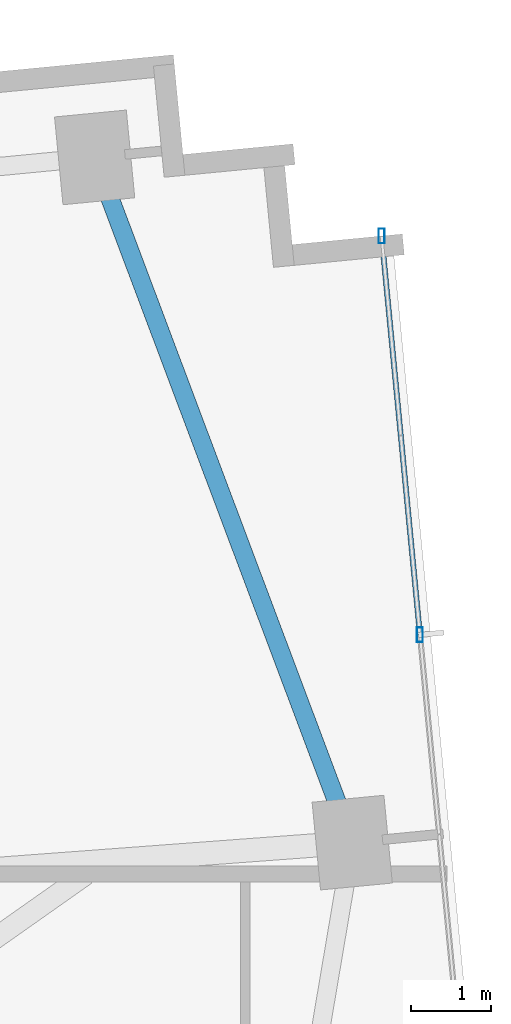
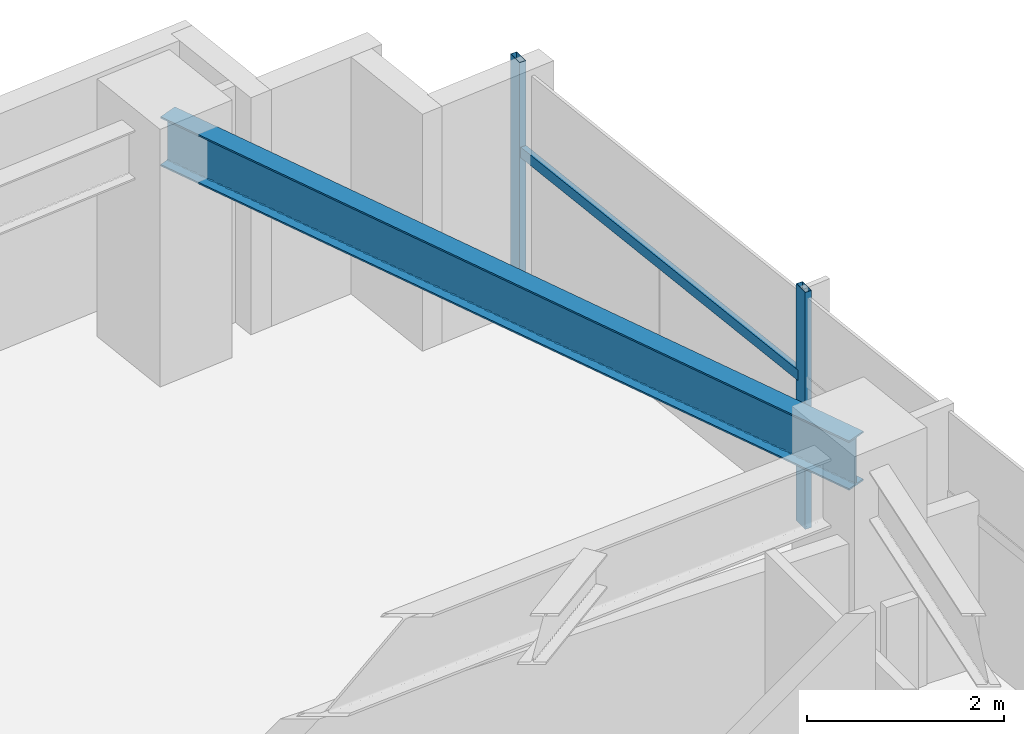
# One storey, part 19 of 27: 3 members, 1 beam, 1 element without a shape of its own.
"""IFC4 building model written with IfcOpenShell, lengths in metres."""

from ifc_helpers import new_model, si_unit, direction, frame, origin, origin_2d, place, context, subcontext, project, spatial, hollow_rectangle, i_section, extrude, source, transform, mapped, material, material_profile, profile_set, type_object, type_shapes, element, aggregate, save


model = new_model("IFC4")

# Units and contexts
model_context = context("Model", 3, precision=1e-05, world=origin(), true_north=direction((0.0, 1.0)))
body_context = subcontext(model_context, "Body", "Model", "MODEL_VIEW")
ifc_project = project(units=[si_unit("LENGTHUNIT", "METRE"), si_unit("AREAUNIT", "SQUARE_METRE"), si_unit("VOLUMEUNIT", "CUBIC_METRE"), si_unit("PLANEANGLEUNIT", "RADIAN"), si_unit("MASSUNIT", "GRAM", prefix="KILO")], contexts=[model_context])

# Site, building, storey
site_placement = place(None, origin())
site = spatial("IfcSite", under=ifc_project, at=site_placement, CompositionType="ELEMENT")
building_placement = place(site_placement, origin())
building = spatial("IfcBuilding", under=site, at=building_placement, Name="Astriad Promenade Condominiums", CompositionType="ELEMENT")
storey_placement = place(building_placement, frame((0.0, 0.0, 113.0)))
storey = spatial("IfcBuildingStorey", under=building, at=storey_placement, Name="L32", CompositionType="ELEMENT", Elevation=113.0)

# Beam
ifc_material_1 = material(Name="Steel ASTM A992 Grade 50", Category="steel")
ifc_material_profile_1 = material_profile(ifc_material_1, i_section(OverallWidth=0.22900390625, OverallDepth=0.612060546875, WebThickness=0.011962890625, FlangeThickness=0.01953125, FilletRadius=0.017822265625, at=origin_2d()), Name="W24X84")
ifc_profile_set_1 = profile_set([ifc_material_profile_1], Name="Steel ASTM A992 Grade 50")
beam_type = type_object("IfcBeamType", Name="STEEL SPANDREL BEAM W24X84", PredefinedType="SPANDREL", material=ifc_profile_set_1)
shared_shape_1 = source(origin(), body_context, "Body", "SweptSolid", [
    extrude(i_section(OverallWidth=0.22900390625, OverallDepth=0.612060546875, WebThickness=0.011962890625, FlangeThickness=0.01953125, FilletRadius=0.017822265625, at=origin_2d()), origin(), (0.0, 0.0, 1.0), 9.0556640625),
])
type_shapes(beam_type, [shared_shape_1])
beam_placement = place(storey_placement, frame((67.63427734375, 19.07666015625, 2.6337890625), z_axis=(-0.351856057459, 0.936054119605, 0.0), x_axis=(-0.936054119605, -0.351856057459, 0.0)))
element("IfcBeam", 1, at=beam_placement, inside=storey, type_object=beam_type, Name="Perimeter Spandrel Beam SP-E2-L32", PredefinedType="SPANDREL", context=body_context, shape_type="MappedRepresentation", body=[
    mapped(shared_shape_1, transform((0.0, 0.0, 0.0), scale=1.0)),
])

# Curtain wall, members
ifc_material_2 = material(Name="Anodised aluminium Black Dark Glass Unitised", Category="aluminium")
curtain_wall_type = type_object("IfcCurtainWallType", Name="CW-B2-DARK", PredefinedType="USERDEFINED", material=ifc_material_2)
curtain_wall_placement = place(storey_placement, origin())
curtain_wall = element("IfcCurtainWall", 2, at=curtain_wall_placement, inside=storey, type_object=curtain_wall_type, Name="CW-L32-E", ObjectType="UNITISED_CURTAIN_WALL", PredefinedType="USERDEFINED")
ifc_material_3 = material(Name="Anodised aluminium 6063-T6 Black", Category="aluminium")
ifc_material_profile_2 = material_profile(ifc_material_3, hollow_rectangle(XDim=0.074951171875, YDim=0.18505859375, WallThickness=0.00439453125, at=origin_2d()), Name="ALU-MUL-75X185")
ifc_profile_set_2 = profile_set([ifc_material_profile_2], Name="Anodised aluminium 6063-T6 Black")
member_type_1 = type_object("IfcMemberType", Name="MUL-ALU-MUL-75X185", PredefinedType="MULLION", material=ifc_profile_set_2)
shared_shape_2 = source(origin(), body_context, "Body", "SweptSolid", [
    extrude(hollow_rectangle(XDim=0.074951171875, YDim=0.18505859375, WallThickness=0.00439453125, at=origin_2d()), origin(), (0.0, 0.0, 1.0), 2.93994140625),
])
type_shapes(member_type_1, [shared_shape_2])
member_1_placement = place(storey_placement, frame((68.0146484375, 26.609130859375, 0.0), z_axis=(0.0, 0.0, 1.0), x_axis=(1.0, 0.0, 0.0)))
member_1 = element("IfcMember", 3, at=member_1_placement, type_object=member_type_1, Name="CW-L32-E-MUL-00", PredefinedType="MULLION", context=body_context, shape_type="MappedRepresentation", body=[
    mapped(shared_shape_2, transform((0.0, 0.0, 0.0), scale=1.0)),
])
member_2_placement = place(storey_placement, frame((68.493896484375, 21.632080078125, 0.0), z_axis=(0.0, 0.0, 1.0), x_axis=(1.0, 0.0, 0.0)))
member_2 = element("IfcMember", 4, at=member_2_placement, type_object=member_type_1, Name="CW-L32-E-MUL-01", PredefinedType="MULLION", context=body_context, shape_type="MappedRepresentation", body=[
    mapped(shared_shape_2, transform((0.0, 0.0, 0.0), scale=1.0)),
])
ifc_material_profile_3 = material_profile(ifc_material_3, hollow_rectangle(XDim=0.06494140625, YDim=0.1298828125, WallThickness=0.00390625, at=origin_2d()), Name="ALU-TRN-65X130")
ifc_profile_set_3 = profile_set([ifc_material_profile_3], Name="Anodised aluminium 6063-T6 Black")
member_type_2 = type_object("IfcMemberType", Name="TRN-ALU-TRN-65X130", PredefinedType="USERDEFINED", material=ifc_profile_set_3)
shared_shape_3 = source(origin(), body_context, "Body", "SweptSolid", [
    extrude(hollow_rectangle(XDim=0.06494140625, YDim=0.1298828125, WallThickness=0.00390625, at=origin_2d()), origin(), (0.0, 0.0, 1.0), 5.0),
])
type_shapes(member_type_2, [shared_shape_3])
member_3_placement = place(storey_placement, frame((68.0146484375, 26.609130859375, 1.82275390625), z_axis=(0.095848242264, -0.995395958629, 0.0), x_axis=(0.995395958629, 0.095848242264, 0.0)))
member_3 = element("IfcMember", 5, at=member_3_placement, type_object=member_type_2, Name="CW-L32-E-TRN-00-0", ObjectType="TRANSOM", PredefinedType="USERDEFINED", context=body_context, shape_type="MappedRepresentation", body=[
    mapped(shared_shape_3, transform((0.0, 0.0, 0.0), scale=1.0)),
])
aggregate(curtain_wall, [member_1, member_2, member_3])

save(model, "model.ifc")
